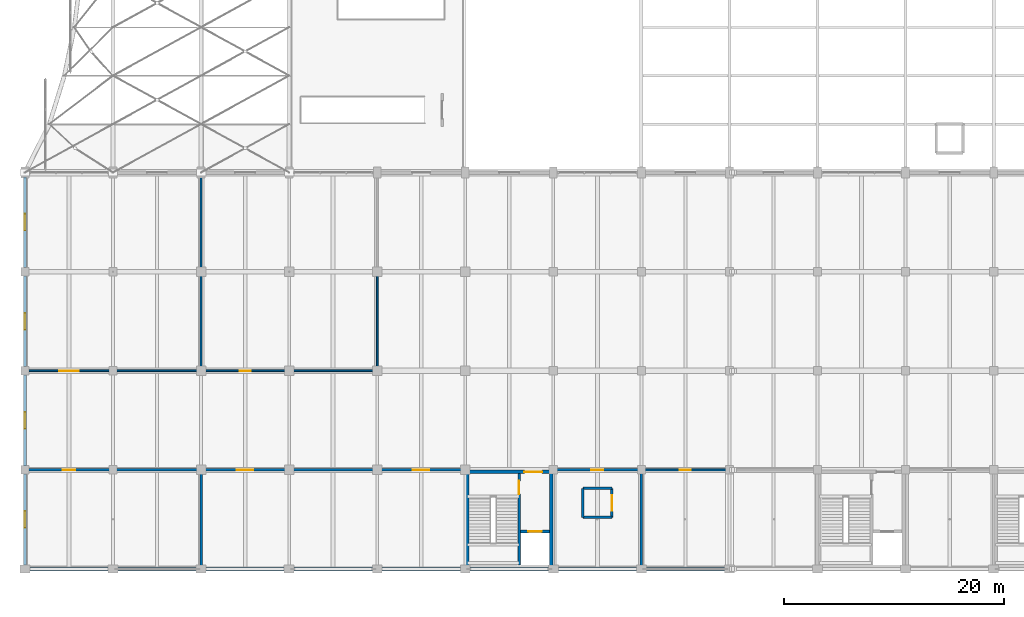
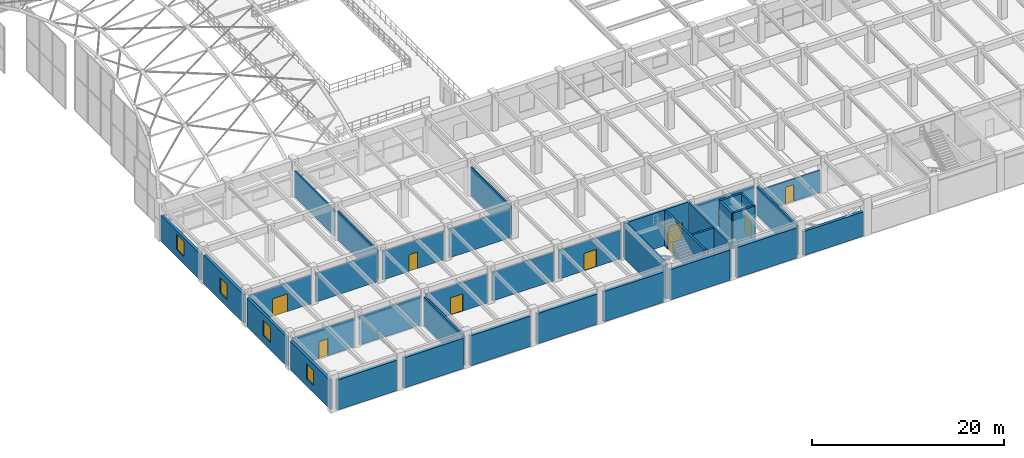
# One storey, part 105 of 144: 37 walls, 11 doors, 4 windows, 15 openings.
"""IFC4 building model written with IfcOpenShell, lengths in metres."""

from ifc_helpers import new_model, si_unit, direction, frame, frame_2d, origin, place, context, subcontext, project, spatial, rectangle, extrude, material, layer, layer_set, type_object, element, fill, save


model = new_model("IFC4")

# Units and contexts
model_context = context("Model", 3, precision=1e-05, world=origin(), true_north=direction((0.0, 1.0)))
body_context = subcontext(model_context, "Body", "Model", "MODEL_VIEW")
ifc_project = project(units=[si_unit("LENGTHUNIT", "METRE"), si_unit("AREAUNIT", "SQUARE_METRE"), si_unit("VOLUMEUNIT", "CUBIC_METRE"), si_unit("PLANEANGLEUNIT", "RADIAN"), si_unit("MASSUNIT", "GRAM", prefix="KILO")], contexts=[model_context])

# Site, building, storey
site_placement = place(None, origin())
site = spatial("IfcSite", under=ifc_project, at=site_placement, CompositionType="ELEMENT")
building_placement = place(site_placement, origin())
building = spatial("IfcBuilding", under=site, at=building_placement, Name="Varnabhumi Central Station", CompositionType="ELEMENT")
storey_placement = place(building_placement, frame((0.0, 0.0, 4.800048828125)))
storey = spatial("IfcBuildingStorey", under=building, at=storey_placement, Name="L01", CompositionType="ELEMENT", Elevation=4.800048828125)

# Wall, opening, door
ifc_material_1 = material(Name="Autoclaved aerated blockwork masonry", Category="masonry")
ifc_layer_1 = layer(ifc_material_1, 0.219970703125, Name="Autoclaved aerated blockwork masonry", Category="masonry")
ifc_layer_set_1 = layer_set([ifc_layer_1], Name="Autoclaved aerated blockwork masonry")
wall_type_1 = type_object("IfcWallType", Name="WAL-COMP-AAC-220", PredefinedType="SOLIDWALL", material=ifc_layer_set_1)
wall_1_placement = place(storey_placement, frame((0.300048828125, 9.0, 0.0), z_axis=(0.0, 0.0, 1.0), x_axis=(1.0, 0.0, 0.0)))
wall_1 = element("IfcWall", 1, at=wall_1_placement, inside=storey, type_object=wall_type_1, Name="Station Signage and Maintenance Store Corridor Partition 1", PredefinedType="SOLIDWALL", context=body_context, shape_type="SweptSolid", body=[
    extrude(rectangle(XDim=7.39990234375, YDim=0.219970703125, at=frame_2d((3.699951171875, 0.0))), origin(), (0.0, 0.0, 1.0), 3.659912109375),
])
opening_1_placement = place(wall_1_placement, frame((3.14990234375, 0.0, 0.0)))
opening_1 = element("IfcOpeningElement", 2, at=opening_1_placement, cuts=wall_1, Name="Opening FD-60", PredefinedType="OPENING", context=body_context, shape_type="SweptSolid", body=[
    extrude(rectangle(XDim=1.10009765625, YDim=2.14990234375, at=frame_2d((0.550048828125, 1.074951171875))), frame((0.0, 0.119873046875, 0.0), z_axis=(0.0, -1.0, 0.0), x_axis=(1.0, 0.0, 0.0)), (0.0, 0.0, 1.0), 0.239990234375),
])
ifc_material_2 = material(Name="Intumescent-treated hardwood timber", Category="wood")
door_type_1 = type_object("IfcDoorType", Name="DR-FIRE-60-1100", OperationType="NOTDEFINED", PredefinedType="DOOR", material=ifc_material_2)
door_1_placement = place(opening_1_placement, origin())
door_1 = element("IfcDoor", 3, at=door_1_placement, inside=storey, type_object=door_type_1, Name="Station Signage and Maintenance Store Door 1", OperationType="SINGLE_SWING_LEFT", OverallHeight=2.14990234375, OverallWidth=1.10009765625, PredefinedType="DOOR", context=body_context, shape_type="SweptSolid", body=[
    extrude(rectangle(XDim=1.10009765625, YDim=2.14990234375, at=frame_2d((0.550048828125, 1.074951171875))), frame((0.0, 0.02490234375, 0.0), z_axis=(0.0, -1.0, 0.0), x_axis=(1.0, 0.0, 0.0)), (0.0, 0.0, 1.0), 0.050048828125),
])
fill(opening_1, door_1)

# Walls
wall_2_placement = place(storey_placement, frame((8.300048828125, 9.0, 0.0), z_axis=(0.0, 0.0, 1.0), x_axis=(1.0, 0.0, 0.0)))
element("IfcWall", 4, at=wall_2_placement, inside=storey, type_object=wall_type_1, Name="Station Signage and Maintenance Store Corridor Partition 2", PredefinedType="SOLIDWALL", context=body_context, shape_type="SweptSolid", body=[
    extrude(rectangle(XDim=7.39990234375, YDim=0.219970703125, at=frame_2d((3.699951171875, 0.0))), origin(), (0.0, 0.0, 1.0), 3.659912109375),
])
wall_3_placement = place(storey_placement, frame((16.0, 0.300048828125, 0.0), z_axis=(0.0, 0.0, 1.0), x_axis=(0.0, 1.0, 0.0)))
element("IfcWall", 5, at=wall_3_placement, inside=storey, type_object=wall_type_1, Name="Station Signage and Maintenance Store W Partition 1", PredefinedType="SOLIDWALL", context=body_context, shape_type="SweptSolid", body=[
    extrude(rectangle(XDim=8.39990234375, YDim=0.219970703125, at=frame_2d((4.199951171875, 0.0))), origin(), (0.0, 0.0, 1.0), 3.659912109375),
])

# Wall, opening, door
wall_4_placement = place(storey_placement, frame((16.300048828125, 9.0, 0.0), z_axis=(0.0, 0.0, 1.0), x_axis=(1.0, 0.0, 0.0)))
wall_4 = element("IfcWall", 6, at=wall_4_placement, inside=storey, type_object=wall_type_1, Name="Mezzanine AHU Plant Room Corridor Partition 1", PredefinedType="SOLIDWALL", context=body_context, shape_type="SweptSolid", body=[
    extrude(rectangle(XDim=7.39990234375, YDim=0.219970703125, at=frame_2d((3.699951171875, 0.0))), origin(), (0.0, 0.0, 1.0), 3.659912109375),
])
opening_2_placement = place(wall_4_placement, frame((2.949951171875, 0.0, 0.0)))
opening_2 = element("IfcOpeningElement", 7, at=opening_2_placement, cuts=wall_4, Name="Opening FD-PLT", PredefinedType="OPENING", context=body_context, shape_type="SweptSolid", body=[
    extrude(rectangle(XDim=1.5, YDim=2.199951171875, at=frame_2d((0.75, 1.10009765625))), frame((0.0, 0.119873046875, 0.0), z_axis=(0.0, -1.0, 0.0), x_axis=(1.0, 0.0, 0.0)), (0.0, 0.0, 1.0), 0.239990234375),
])
ifc_material_3 = material(Name="Stainless steel Grade 316", Category="steel")
door_type_2 = type_object("IfcDoorType", Name="DR-PLANT-1500", OperationType="NOTDEFINED", PredefinedType="DOOR", material=ifc_material_3)
door_2_placement = place(opening_2_placement, origin())
door_2 = element("IfcDoor", 8, at=door_2_placement, inside=storey, type_object=door_type_2, Name="Mezzanine AHU Plant Room Door 1", OperationType="SINGLE_SWING_LEFT", OverallHeight=2.199951171875, OverallWidth=1.5, PredefinedType="DOOR", context=body_context, shape_type="SweptSolid", body=[
    extrude(rectangle(XDim=1.5, YDim=2.199951171875, at=frame_2d((0.75, 1.10009765625))), frame((0.0, 0.02490234375, 0.0), z_axis=(0.0, -1.0, 0.0), x_axis=(1.0, 0.0, 0.0)), (0.0, 0.0, 1.0), 0.050048828125),
])
fill(opening_2, door_2)

# Wall
wall_5_placement = place(storey_placement, frame((24.300048828125, 9.0, 0.0), z_axis=(0.0, 0.0, 1.0), x_axis=(1.0, 0.0, 0.0)))
element("IfcWall", 9, at=wall_5_placement, inside=storey, type_object=wall_type_1, Name="Mezzanine AHU Plant Room Corridor Partition 2", PredefinedType="SOLIDWALL", context=body_context, shape_type="SweptSolid", body=[
    extrude(rectangle(XDim=7.39990234375, YDim=0.219970703125, at=frame_2d((3.699951171875, 0.0))), origin(), (0.0, 0.0, 1.0), 3.659912109375),
])

# Wall, opening, door
wall_6_placement = place(storey_placement, frame((32.300048828125, 9.0, 0.0), z_axis=(0.0, 0.0, 1.0), x_axis=(1.0, 0.0, 0.0)))
wall_6 = element("IfcWall", 10, at=wall_6_placement, inside=storey, type_object=wall_type_1, Name="Mezzanine AHU Plant Room Corridor Partition 3", PredefinedType="SOLIDWALL", context=body_context, shape_type="SweptSolid", body=[
    extrude(rectangle(XDim=7.39990234375, YDim=0.219970703125, at=frame_2d((3.699951171875, 0.0))), origin(), (0.0, 0.0, 1.0), 3.659912109375),
])
opening_3_placement = place(wall_6_placement, frame((2.949951171875, 0.0, 0.0)))
opening_3 = element("IfcOpeningElement", 11, at=opening_3_placement, cuts=wall_6, Name="Opening FD-PLT", PredefinedType="OPENING", context=body_context, shape_type="SweptSolid", body=[
    extrude(rectangle(XDim=1.5, YDim=2.199951171875, at=frame_2d((0.75, 1.10009765625))), frame((0.0, 0.119873046875, 0.0), z_axis=(0.0, -1.0, 0.0), x_axis=(1.0, 0.0, 0.0)), (0.0, 0.0, 1.0), 0.239990234375),
])
door_3_placement = place(opening_3_placement, origin())
door_3 = element("IfcDoor", 12, at=door_3_placement, inside=storey, type_object=door_type_2, Name="Mezzanine AHU Plant Room Door 3", OperationType="SINGLE_SWING_RIGHT", OverallHeight=2.199951171875, OverallWidth=1.5, PredefinedType="DOOR", context=body_context, shape_type="SweptSolid", body=[
    extrude(rectangle(XDim=1.5, YDim=2.199951171875, at=frame_2d((0.75, 1.10009765625))), frame((0.0, 0.02490234375, 0.0), z_axis=(0.0, -1.0, 0.0), x_axis=(1.0, 0.0, 0.0)), (0.0, 0.0, 1.0), 0.050048828125),
])
fill(opening_3, door_3)

wall_7_placement = place(storey_placement, frame((48.300048828125, 9.0, 0.0), z_axis=(0.0, 0.0, 1.0), x_axis=(1.0, 0.0, 0.0)))
wall_7 = element("IfcWall", 13, at=wall_7_placement, inside=storey, type_object=wall_type_1, Name="Ticketing Network Server Room Corridor Partition 1", PredefinedType="SOLIDWALL", context=body_context, shape_type="SweptSolid", body=[
    extrude(rectangle(XDim=7.39990234375, YDim=0.219970703125, at=frame_2d((3.699951171875, 0.0))), origin(), (0.0, 0.0, 1.0), 3.659912109375),
])
opening_4_placement = place(wall_7_placement, frame((3.14990234375, 0.0, 0.0)))
opening_4 = element("IfcOpeningElement", 14, at=opening_4_placement, cuts=wall_7, Name="Opening FD-60", PredefinedType="OPENING", context=body_context, shape_type="SweptSolid", body=[
    extrude(rectangle(XDim=1.10009765625, YDim=2.14990234375, at=frame_2d((0.550048828125, 1.074951171875))), frame((0.0, 0.119873046875, 0.0), z_axis=(0.0, -1.0, 0.0), x_axis=(1.0, 0.0, 0.0)), (0.0, 0.0, 1.0), 0.239990234375),
])
door_4_placement = place(opening_4_placement, origin())
door_4 = element("IfcDoor", 15, at=door_4_placement, inside=storey, type_object=door_type_1, Name="Ticketing Network Server Room Door 1", OperationType="SINGLE_SWING_LEFT", OverallHeight=2.14990234375, OverallWidth=1.10009765625, PredefinedType="DOOR", context=body_context, shape_type="SweptSolid", body=[
    extrude(rectangle(XDim=1.10009765625, YDim=2.14990234375, at=frame_2d((0.550048828125, 1.074951171875))), frame((0.0, 0.02490234375, 0.0), z_axis=(0.0, -1.0, 0.0), x_axis=(1.0, 0.0, 0.0)), (0.0, 0.0, 1.0), 0.050048828125),
])
fill(opening_4, door_4)

# Walls
wall_8_placement = place(storey_placement, frame((56.0, 0.300048828125, 0.0), z_axis=(0.0, 0.0, 1.0), x_axis=(0.0, 1.0, 0.0)))
element("IfcWall", 16, at=wall_8_placement, inside=storey, type_object=wall_type_1, Name="Ticketing Network Server Room W Partition 1", PredefinedType="SOLIDWALL", context=body_context, shape_type="SweptSolid", body=[
    extrude(rectangle(XDim=8.39990234375, YDim=0.219970703125, at=frame_2d((4.199951171875, 0.0))), origin(), (0.0, 0.0, 1.0), 3.659912109375),
])
ifc_material_4 = material(Name="Concrete M40", Category="concrete")
ifc_layer_2 = layer(ifc_material_4, 0.300048828125, Name="Concrete M40", Category="concrete")
ifc_layer_set_2 = layer_set([ifc_layer_2], Name="Concrete M40")
wall_type_2 = type_object("IfcWallType", Name="WAL-CORE-RC-300", PredefinedType="SHEAR", material=ifc_layer_set_2)
for number, where, z_axis, x_axis, name in (
    (17, (40.179931640625, 0.179931640625, 0.0), (0.0, 0.0, 1.0), (0.0, 1.0, 0.0), "SC1 L01 West Shear Wall"),
    (18, (47.820068359375, 0.179931640625, 0.0), (0.0, 0.0, 1.0), (0.0, 1.0, 0.0), "SC1 L01 East Shear Wall"),
):
    element("IfcWall", number, at=place(storey_placement, frame(where, z_axis=z_axis, x_axis=x_axis)), inside=storey, type_object=wall_type_2, Name=name, PredefinedType="SHEAR", context=body_context, shape_type="SweptSolid", body=[
        extrude(rectangle(XDim=8.64013671875, YDim=0.300048828125, at=frame_2d((4.320068359375, 0.0))), origin(), (0.0, 0.0, 1.0), 4.52001953125),
    ])

# Wall, opening, door
wall_9_placement = place(storey_placement, frame((40.030029296875, 8.820068359375, 0.0), z_axis=(0.0, 0.0, 1.0), x_axis=(1.0, 0.0, 0.0)))
wall_9 = element("IfcWall", 19, at=wall_9_placement, inside=storey, type_object=wall_type_2, Name="SC1 L01 Corridor Shear Wall", PredefinedType="SHEAR", context=body_context, shape_type="SweptSolid", body=[
    extrude(rectangle(XDim=7.93994140625, YDim=0.300048828125, at=frame_2d((3.969970703125, 0.0))), origin(), (0.0, 0.0, 1.0), 4.52001953125),
])
opening_5_placement = place(wall_9_placement, frame((5.35009765625, 0.0, 0.0)))
opening_5 = element("IfcOpeningElement", 20, at=opening_5_placement, cuts=wall_9, Name="Opening FD-60D", PredefinedType="OPENING", context=body_context, shape_type="SweptSolid", body=[
    extrude(rectangle(XDim=1.60009765625, YDim=2.14990234375, at=frame_2d((0.800048828125, 1.074951171875))), frame((0.0, 0.159912109375, 0.0), z_axis=(0.0, -1.0, 0.0), x_axis=(1.0, 0.0, 0.0)), (0.0, 0.0, 1.0), 0.320068359375),
])
door_type_3 = type_object("IfcDoorType", Name="DR-FIRE-60-1600", OperationType="NOTDEFINED", PredefinedType="DOOR", material=ifc_material_2)
door_5_placement = place(opening_5_placement, origin())
door_5 = element("IfcDoor", 21, at=door_5_placement, inside=storey, type_object=door_type_3, Name="SC1 L01 Lobby Fire Door", OperationType="DOUBLE_DOOR_SINGLE_SWING", OverallHeight=2.14990234375, OverallWidth=1.60009765625, PredefinedType="DOOR", context=body_context, shape_type="SweptSolid", body=[
    extrude(rectangle(XDim=1.60009765625, YDim=2.14990234375, at=frame_2d((0.800048828125, 1.074951171875))), frame((0.0, 0.02490234375, 0.0), z_axis=(0.0, -1.0, 0.0), x_axis=(1.0, 0.0, 0.0)), (0.0, 0.0, 1.0), 0.050048828125),
])
fill(opening_5, door_5)

# Wall, opening, window
ifc_layer_3 = layer(ifc_material_1, 0.300048828125, Name="Autoclaved aerated blockwork masonry", Category="masonry")
ifc_layer_set_3 = layer_set([ifc_layer_3], Name="Autoclaved aerated blockwork masonry")
wall_type_3 = type_object("IfcWallType", Name="WAL-EXT-STUCCO-300", PredefinedType="SOLIDWALL", material=ifc_layer_set_3)
wall_10_placement = place(storey_placement, frame((0.0, 0.344970703125, 0.0), z_axis=(0.0, 0.0, 1.0), x_axis=(0.0, 1.0, 0.0)))
wall_10 = element("IfcWall", 22, at=wall_10_placement, inside=storey, type_object=wall_type_3, Name="South Wing E End Wall L01-1", PredefinedType="SOLIDWALL", context=body_context, shape_type="SweptSolid", body=[
    extrude(rectangle(XDim=8.284912109375, YDim=0.300048828125, at=frame_2d((4.142578125, 0.0))), origin(), (0.0, 0.0, 1.0), 3.659912109375),
])
opening_6_placement = place(wall_10_placement, frame((3.405029296875, 0.0, 0.949951171875)))
opening_6 = element("IfcOpeningElement", 23, at=opening_6_placement, cuts=wall_10, Name="Opening W-07", PredefinedType="OPENING", context=body_context, shape_type="SweptSolid", body=[
    extrude(rectangle(XDim=1.5, YDim=1.89990234375, at=frame_2d((0.75, 0.949951171875))), frame((0.0, 0.159912109375, 0.0), z_axis=(0.0, -1.0, 0.0), x_axis=(1.0, 0.0, 0.0)), (0.0, 0.0, 1.0), 0.320068359375),
])
ifc_material_5 = material(Name="Laminated low-E double glazing", Category="glass")
window_type = type_object("IfcWindowType", Name="WIN-OPS-1500x1900", PartitioningType="SINGLE_PANEL", PredefinedType="WINDOW", material=ifc_material_5)
window_1_placement = place(opening_6_placement, origin())
window_1 = element("IfcWindow", 24, at=window_1_placement, inside=storey, type_object=window_type, Name="South E Window L01-1", OverallHeight=1.89990234375, OverallWidth=1.5, PartitioningType="SINGLE_PANEL", PredefinedType="WINDOW", context=body_context, shape_type="SweptSolid", body=[
    extrude(rectangle(XDim=1.5, YDim=1.89990234375, at=frame_2d((0.75, 0.949951171875))), frame((0.0, 0.030029296875, 0.0), z_axis=(0.0, -1.0, 0.0), x_axis=(1.0, 0.0, 0.0)), (0.0, 0.0, 1.0), 0.06005859375),
])
fill(opening_6, window_1)

wall_11_placement = place(storey_placement, frame((0.0, 9.3701171875, 0.0), z_axis=(0.0, 0.0, 1.0), x_axis=(0.0, 1.0, 0.0)))
wall_11 = element("IfcWall", 25, at=wall_11_placement, inside=storey, type_object=wall_type_3, Name="South Wing E End Wall L01-2", PredefinedType="SOLIDWALL", context=body_context, shape_type="SweptSolid", body=[
    extrude(rectangle(XDim=8.259765625, YDim=0.300048828125, at=frame_2d((4.1298828125, 0.0))), origin(), (0.0, 0.0, 1.0), 3.659912109375),
])
opening_7_placement = place(wall_11_placement, frame((3.3798828125, 0.0, 0.949951171875)))
opening_7 = element("IfcOpeningElement", 26, at=opening_7_placement, cuts=wall_11, Name="Opening W-07", PredefinedType="OPENING", context=body_context, shape_type="SweptSolid", body=[
    extrude(rectangle(XDim=1.5, YDim=1.89990234375, at=frame_2d((0.75, 0.949951171875))), frame((0.0, 0.159912109375, 0.0), z_axis=(0.0, -1.0, 0.0), x_axis=(1.0, 0.0, 0.0)), (0.0, 0.0, 1.0), 0.320068359375),
])
window_2_placement = place(opening_7_placement, origin())
window_2 = element("IfcWindow", 27, at=window_2_placement, inside=storey, type_object=window_type, Name="South E Window L01-2", OverallHeight=1.89990234375, OverallWidth=1.5, PartitioningType="SINGLE_PANEL", PredefinedType="WINDOW", context=body_context, shape_type="SweptSolid", body=[
    extrude(rectangle(XDim=1.5, YDim=1.89990234375, at=frame_2d((0.75, 0.949951171875))), frame((0.0, 0.030029296875, 0.0), z_axis=(0.0, -1.0, 0.0), x_axis=(1.0, 0.0, 0.0)), (0.0, 0.0, 1.0), 0.06005859375),
])
fill(opening_7, window_2)

wall_12_placement = place(storey_placement, frame((0.0, 18.3701171875, 0.0), z_axis=(0.0, 0.0, 1.0), x_axis=(0.0, 1.0, 0.0)))
wall_12 = element("IfcWall", 28, at=wall_12_placement, inside=storey, type_object=wall_type_3, Name="South Wing E End Wall L01-3", PredefinedType="SOLIDWALL", context=body_context, shape_type="SweptSolid", body=[
    extrude(rectangle(XDim=8.259765625, YDim=0.300048828125, at=frame_2d((4.1298828125, 0.0))), origin(), (0.0, 0.0, 1.0), 3.659912109375),
])
opening_8_placement = place(wall_12_placement, frame((3.3798828125, 0.0, 0.949951171875)))
opening_8 = element("IfcOpeningElement", 29, at=opening_8_placement, cuts=wall_12, Name="Opening W-07", PredefinedType="OPENING", context=body_context, shape_type="SweptSolid", body=[
    extrude(rectangle(XDim=1.5, YDim=1.89990234375, at=frame_2d((0.75, 0.949951171875))), frame((0.0, 0.159912109375, 0.0), z_axis=(0.0, -1.0, 0.0), x_axis=(1.0, 0.0, 0.0)), (0.0, 0.0, 1.0), 0.320068359375),
])
window_3_placement = place(opening_8_placement, origin())
window_3 = element("IfcWindow", 30, at=window_3_placement, inside=storey, type_object=window_type, Name="South E Window L01-3", OverallHeight=1.89990234375, OverallWidth=1.5, PartitioningType="SINGLE_PANEL", PredefinedType="WINDOW", context=body_context, shape_type="SweptSolid", body=[
    extrude(rectangle(XDim=1.5, YDim=1.89990234375, at=frame_2d((0.75, 0.949951171875))), frame((0.0, 0.030029296875, 0.0), z_axis=(0.0, -1.0, 0.0), x_axis=(1.0, 0.0, 0.0)), (0.0, 0.0, 1.0), 0.06005859375),
])
fill(opening_8, window_3)

wall_13_placement = place(storey_placement, frame((0.0, 27.3701171875, 0.0), z_axis=(0.0, 0.0, 1.0), x_axis=(0.0, 1.0, 0.0)))
wall_13 = element("IfcWall", 31, at=wall_13_placement, inside=storey, type_object=wall_type_3, Name="South Wing E End Wall L01-4", PredefinedType="SOLIDWALL", context=body_context, shape_type="SweptSolid", body=[
    extrude(rectangle(XDim=8.22998046875, YDim=0.300048828125, at=frame_2d((4.114990234375, 0.0))), origin(), (0.0, 0.0, 1.0), 3.31005859375),
])
opening_9_placement = place(wall_13_placement, frame((3.3798828125, 0.0, 0.949951171875)))
opening_9 = element("IfcOpeningElement", 32, at=opening_9_placement, cuts=wall_13, Name="Opening W-07", PredefinedType="OPENING", context=body_context, shape_type="SweptSolid", body=[
    extrude(rectangle(XDim=1.5, YDim=1.89990234375, at=frame_2d((0.75, 0.949951171875))), frame((0.0, 0.159912109375, 0.0), z_axis=(0.0, -1.0, 0.0), x_axis=(1.0, 0.0, 0.0)), (0.0, 0.0, 1.0), 0.320068359375),
])
window_4_placement = place(opening_9_placement, origin())
window_4 = element("IfcWindow", 33, at=window_4_placement, inside=storey, type_object=window_type, Name="South E Window L01-4", OverallHeight=1.89990234375, OverallWidth=1.5, PartitioningType="SINGLE_PANEL", PredefinedType="WINDOW", context=body_context, shape_type="SweptSolid", body=[
    extrude(rectangle(XDim=1.5, YDim=1.89990234375, at=frame_2d((0.75, 0.949951171875))), frame((0.0, 0.030029296875, 0.0), z_axis=(0.0, -1.0, 0.0), x_axis=(1.0, 0.0, 0.0)), (0.0, 0.0, 1.0), 0.06005859375),
])
fill(opening_9, window_4)

# Wall, opening, door
ifc_layer_4 = layer(ifc_material_1, 0.159912109375, Name="Autoclaved aerated blockwork masonry", Category="masonry")
ifc_layer_set_4 = layer_set([ifc_layer_4], Name="Autoclaved aerated blockwork masonry")
wall_type_4 = type_object("IfcWallType", Name="WAL-PART-AAC-160", PredefinedType="PARTITIONING", material=ifc_layer_set_4)
wall_14_placement = place(storey_placement, frame((0.300048828125, 18.0, 0.0), z_axis=(0.0, 0.0, 1.0), x_axis=(1.0, 0.0, 0.0)))
wall_14 = element("IfcWall", 34, at=wall_14_placement, inside=storey, type_object=wall_type_4, Name="Forecourt Overlook Transit Lounge Corridor Partition 1", PredefinedType="PARTITIONING", context=body_context, shape_type="SweptSolid", body=[
    extrude(rectangle(XDim=7.39990234375, YDim=0.159912109375, at=frame_2d((3.699951171875, 0.0))), origin(), (0.0, 0.0, 1.0), 3.659912109375),
])
opening_10_placement = place(wall_14_placement, frame((2.800048828125, 0.0, 0.0)))
opening_10 = element("IfcOpeningElement", 35, at=opening_10_placement, cuts=wall_14, Name="Opening D-02", PredefinedType="OPENING", context=body_context, shape_type="SweptSolid", body=[
    extrude(rectangle(XDim=1.800048828125, YDim=2.25, at=frame_2d((0.89990234375, 1.125))), frame((0.0, 0.08984375, 0.0), z_axis=(0.0, -1.0, 0.0), x_axis=(1.0, 0.0, 0.0)), (0.0, 0.0, 1.0), 0.179931640625),
])
ifc_material_6 = material(Name="Anodised aluminium 6063-T6", Category="aluminium")
door_type_4 = type_object("IfcDoorType", Name="DR-LOUNGE-1800", OperationType="NOTDEFINED", PredefinedType="DOOR", material=ifc_material_6)
door_6_placement = place(opening_10_placement, frame((1.800048828125, 0.0, 0.0), z_axis=(0.0, 0.0, 1.0), x_axis=(-1.0, 0.0, 0.0)))
door_6 = element("IfcDoor", 36, at=door_6_placement, inside=storey, type_object=door_type_4, Name="Forecourt Overlook Transit Lounge Door 1", OperationType="DOUBLE_DOOR_SINGLE_SWING", OverallHeight=2.25, OverallWidth=1.800048828125, PredefinedType="DOOR", context=body_context, shape_type="SweptSolid", body=[
    extrude(rectangle(XDim=1.800048828125, YDim=2.25, at=frame_2d((0.89990234375, 1.125))), frame((0.0, 0.02490234375, 0.0), z_axis=(0.0, -1.0, 0.0), x_axis=(1.0, 0.0, 0.0)), (0.0, 0.0, 1.0), 0.050048828125),
])
fill(opening_10, door_6)

# Walls
wall_15_placement = place(storey_placement, frame((8.300048828125, 18.0, 0.0), z_axis=(0.0, 0.0, 1.0), x_axis=(1.0, 0.0, 0.0)))
element("IfcWall", 37, at=wall_15_placement, inside=storey, type_object=wall_type_4, Name="Forecourt Overlook Transit Lounge Corridor Partition 2", PredefinedType="PARTITIONING", context=body_context, shape_type="SweptSolid", body=[
    extrude(rectangle(XDim=7.39990234375, YDim=0.159912109375, at=frame_2d((3.699951171875, 0.0))), origin(), (0.0, 0.0, 1.0), 3.659912109375),
])
wall_16_placement = place(storey_placement, frame((16.0, 18.300048828125, 0.0), z_axis=(0.0, 0.0, 1.0), x_axis=(0.0, 1.0, 0.0)))
element("IfcWall", 38, at=wall_16_placement, inside=storey, type_object=wall_type_4, Name="Forecourt Overlook Transit Lounge W Partition 1", PredefinedType="PARTITIONING", context=body_context, shape_type="SweptSolid", body=[
    extrude(rectangle(XDim=8.39990234375, YDim=0.159912109375, at=frame_2d((4.199951171875, 0.0))), origin(), (0.0, 0.0, 1.0), 3.659912109375),
])
wall_17_placement = place(storey_placement, frame((16.0, 27.300048828125, 0.0), z_axis=(0.0, 0.0, 1.0), x_axis=(0.0, 1.0, 0.0)))
element("IfcWall", 39, at=wall_17_placement, inside=storey, type_object=wall_type_4, Name="Forecourt Overlook Transit Lounge W Partition 2", PredefinedType="PARTITIONING", context=body_context, shape_type="SweptSolid", body=[
    extrude(rectangle(XDim=8.39990234375, YDim=0.159912109375, at=frame_2d((4.199951171875, 0.0))), origin(), (0.0, 0.0, 1.0), 3.31005859375),
])

# Wall, opening, door
wall_18_placement = place(storey_placement, frame((16.300048828125, 18.0, 0.0), z_axis=(0.0, 0.0, 1.0), x_axis=(1.0, 0.0, 0.0)))
wall_18 = element("IfcWall", 40, at=wall_18_placement, inside=storey, type_object=wall_type_4, Name="Booking Accounts and Cash Office Corridor Partition 1", PredefinedType="PARTITIONING", context=body_context, shape_type="SweptSolid", body=[
    extrude(rectangle(XDim=7.39990234375, YDim=0.159912109375, at=frame_2d((3.699951171875, 0.0))), origin(), (0.0, 0.0, 1.0), 3.659912109375),
])
opening_11_placement = place(wall_18_placement, frame((3.199951171875, 0.0, 0.0)))
opening_11 = element("IfcOpeningElement", 41, at=opening_11_placement, cuts=wall_18, Name="Opening D-01", PredefinedType="OPENING", context=body_context, shape_type="SweptSolid", body=[
    extrude(rectangle(XDim=1.0, YDim=2.10009765625, at=frame_2d((0.5, 1.050048828125))), frame((0.0, 0.08984375, 0.0), z_axis=(0.0, -1.0, 0.0), x_axis=(1.0, 0.0, 0.0)), (0.0, 0.0, 1.0), 0.179931640625),
])
door_type_5 = type_object("IfcDoorType", Name="DR-ROOM-1000", OperationType="NOTDEFINED", PredefinedType="DOOR", material=ifc_material_2)
door_7_placement = place(opening_11_placement, frame((1.0, 0.0, 0.0), z_axis=(0.0, 0.0, 1.0), x_axis=(-1.0, 0.0, 0.0)))
door_7 = element("IfcDoor", 42, at=door_7_placement, inside=storey, type_object=door_type_5, Name="Booking Accounts and Cash Office Door 1", OperationType="SINGLE_SWING_RIGHT", OverallHeight=2.10009765625, OverallWidth=1.0, PredefinedType="DOOR", context=body_context, shape_type="SweptSolid", body=[
    extrude(rectangle(XDim=1.0, YDim=2.10009765625, at=frame_2d((0.5, 1.050048828125))), frame((0.0, 0.02490234375, 0.0), z_axis=(0.0, -1.0, 0.0), x_axis=(1.0, 0.0, 0.0)), (0.0, 0.0, 1.0), 0.050048828125),
])
fill(opening_11, door_7)

# Walls
wall_19_placement = place(storey_placement, frame((24.300048828125, 18.0, 0.0), z_axis=(0.0, 0.0, 1.0), x_axis=(1.0, 0.0, 0.0)))
element("IfcWall", 43, at=wall_19_placement, inside=storey, type_object=wall_type_4, Name="Booking Accounts and Cash Office Corridor Partition 2", PredefinedType="PARTITIONING", context=body_context, shape_type="SweptSolid", body=[
    extrude(rectangle(XDim=7.39990234375, YDim=0.159912109375, at=frame_2d((3.699951171875, 0.0))), origin(), (0.0, 0.0, 1.0), 3.659912109375),
])
wall_20_placement = place(storey_placement, frame((32.0, 18.300048828125, 0.0), z_axis=(0.0, 0.0, 1.0), x_axis=(0.0, 1.0, 0.0)))
element("IfcWall", 44, at=wall_20_placement, inside=storey, type_object=wall_type_4, Name="Booking Accounts and Cash Office W Partition 1", PredefinedType="PARTITIONING", context=body_context, shape_type="SweptSolid", body=[
    extrude(rectangle(XDim=8.39990234375, YDim=0.159912109375, at=frame_2d((4.199951171875, 0.0))), origin(), (0.0, 0.0, 1.0), 3.659912109375),
])

# Wall, opening, door
wall_21_placement = place(storey_placement, frame((56.300048828125, 9.0, 0.0), z_axis=(0.0, 0.0, 1.0), x_axis=(1.0, 0.0, 0.0)))
wall_21 = element("IfcWall", 45, at=wall_21_placement, inside=storey, type_object=wall_type_4, Name="Parcel Dispatch Records Office Corridor Partition 1", PredefinedType="PARTITIONING", context=body_context, shape_type="SweptSolid", body=[
    extrude(rectangle(XDim=7.39990234375, YDim=0.159912109375, at=frame_2d((3.699951171875, 0.0))), origin(), (0.0, 0.0, 1.0), 2.829833984375),
])
opening_12_placement = place(wall_21_placement, frame((3.199951171875, 0.0, 0.0)))
opening_12 = element("IfcOpeningElement", 46, at=opening_12_placement, cuts=wall_21, Name="Opening D-01", PredefinedType="OPENING", context=body_context, shape_type="SweptSolid", body=[
    extrude(rectangle(XDim=1.0, YDim=2.10009765625, at=frame_2d((0.5, 1.050048828125))), frame((0.0, 0.08984375, 0.0), z_axis=(0.0, -1.0, 0.0), x_axis=(1.0, 0.0, 0.0)), (0.0, 0.0, 1.0), 0.179931640625),
])
door_8_placement = place(opening_12_placement, origin())
door_8 = element("IfcDoor", 47, at=door_8_placement, inside=storey, type_object=door_type_5, Name="Parcel Dispatch Records Office Door 1", OperationType="SINGLE_SWING_LEFT", OverallHeight=2.10009765625, OverallWidth=1.0, PredefinedType="DOOR", context=body_context, shape_type="SweptSolid", body=[
    extrude(rectangle(XDim=1.0, YDim=2.10009765625, at=frame_2d((0.5, 1.050048828125))), frame((0.0, 0.02490234375, 0.0), z_axis=(0.0, -1.0, 0.0), x_axis=(1.0, 0.0, 0.0)), (0.0, 0.0, 1.0), 0.050048828125),
])
fill(opening_12, door_8)

ifc_layer_5 = layer(ifc_material_4, 0.239990234375, Name="Concrete M40", Category="concrete")
ifc_layer_set_5 = layer_set([ifc_layer_5], Name="Concrete M40")
wall_type_5 = type_object("IfcWallType", Name="WAL-SHAFT-RC-240", PredefinedType="SHEAR", material=ifc_layer_set_5)
wall_22_placement = place(storey_placement, frame((44.89990234375, 0.35009765625, 0.0), z_axis=(0.0, 0.0, 1.0), x_axis=(0.0, 1.0, 0.0)))
wall_22 = element("IfcWall", 48, at=wall_22_placement, inside=storey, type_object=wall_type_5, Name="SC1 L01 Stair-Lobby Divider Wall", PredefinedType="SHEAR", context=body_context, shape_type="SweptSolid", body=[
    extrude(rectangle(XDim=8.2998046875, YDim=0.239990234375, at=frame_2d((4.14990234375, 0.0))), origin(), (0.0, 0.0, 1.0), 4.52001953125),
])
opening_13_placement = place(wall_22_placement, frame((6.449951171875, 0.0, 0.0)))
opening_13 = element("IfcOpeningElement", 49, at=opening_13_placement, cuts=wall_22, Name="Opening FD-120", PredefinedType="OPENING", context=body_context, shape_type="SweptSolid", body=[
    extrude(rectangle(XDim=1.199951171875, YDim=2.14990234375, at=frame_2d((0.60009765625, 1.074951171875))), frame((0.0, 0.1298828125, 0.0), z_axis=(0.0, -1.0, 0.0), x_axis=(1.0, 0.0, 0.0)), (0.0, 0.0, 1.0), 0.260009765625),
])
door_type_6 = type_object("IfcDoorType", Name="DR-FIRE-120-1200", OperationType="NOTDEFINED", PredefinedType="DOOR", material=ifc_material_3)
door_9_placement = place(opening_13_placement, origin())
door_9 = element("IfcDoor", 50, at=door_9_placement, inside=storey, type_object=door_type_6, Name="ST-S1 L01 Fire Door", OperationType="SINGLE_SWING_RIGHT", OverallHeight=2.14990234375, OverallWidth=1.199951171875, PredefinedType="DOOR", context=body_context, shape_type="SweptSolid", body=[
    extrude(rectangle(XDim=1.199951171875, YDim=2.14990234375, at=frame_2d((0.60009765625, 1.074951171875))), frame((0.0, 0.02490234375, 0.0), z_axis=(0.0, -1.0, 0.0), x_axis=(1.0, 0.0, 0.0)), (0.0, 0.0, 1.0), 0.050048828125),
])
fill(opening_13, door_9)

wall_23_placement = place(storey_placement, frame((45.02001953125, 3.39990234375, 0.0), z_axis=(0.0, 0.0, 1.0), x_axis=(1.0, 0.0, 0.0)))
wall_23 = element("IfcWall", 51, at=wall_23_placement, inside=storey, type_object=wall_type_5, Name="FL-1 L01 Lift Shaft Front Wall", PredefinedType="SHEAR", context=body_context, shape_type="SweptSolid", body=[
    extrude(rectangle(XDim=2.6298828125, YDim=0.239990234375, at=frame_2d((1.31494140625, 0.0))), origin(), (0.0, 0.0, 1.0), 4.52001953125),
])
opening_14_placement = place(wall_23_placement, frame((0.715087890625, 0.0, 0.0)))
opening_14 = element("IfcOpeningElement", 52, at=opening_14_placement, cuts=wall_23, Name="Opening LD-FL-1", PredefinedType="OPENING", context=body_context, shape_type="SweptSolid", body=[
    extrude(rectangle(XDim=1.199951171875, YDim=2.14990234375, at=frame_2d((0.60009765625, 1.074951171875))), frame((0.0, 0.1298828125, 0.0), z_axis=(0.0, -1.0, 0.0), x_axis=(1.0, 0.0, 0.0)), (0.0, 0.0, 1.0), 0.260009765625),
])
door_type_7 = type_object("IfcDoorType", Name="DR-LIFT-FIRE-1200", OperationType="NOTDEFINED", PredefinedType="DOOR", material=ifc_material_3)
door_10_placement = place(opening_14_placement, origin())
door_10 = element("IfcDoor", 53, at=door_10_placement, inside=storey, type_object=door_type_7, Name="Lift Landing Door FL-1 L01", OperationType="DOUBLE_DOOR_SLIDING", OverallHeight=2.14990234375, OverallWidth=1.199951171875, PredefinedType="DOOR", context=body_context, shape_type="SweptSolid", body=[
    extrude(rectangle(XDim=1.199951171875, YDim=2.14990234375, at=frame_2d((0.60009765625, 1.074951171875))), frame((0.0, 0.02490234375, 0.0), z_axis=(0.0, -1.0, 0.0), x_axis=(1.0, 0.0, 0.0)), (0.0, 0.0, 1.0), 0.050048828125),
])
fill(opening_14, door_10)

# Walls
for number, where, z_axis, x_axis, name in (
    (54, (50.679931640625, 4.679931640625, 0.0), (0.0, 0.0, 1.0), (0.0, 1.0, 0.0), "GL-2 L01 Shaft West Wall"),
    (55, (50.679931640625, 4.679931640625, 0.0), (0.0, 0.0, 1.0), (1.0, 0.0, 0.0), "GL-2 L01 Shaft South Wall"),
    (56, (50.679931640625, 7.320068359375, 0.0), (0.0, 0.0, 1.0), (1.0, 0.0, 0.0), "GL-2 L01 Shaft North Wall"),
):
    element("IfcWall", number, at=place(storey_placement, frame(where, z_axis=z_axis, x_axis=x_axis)), inside=storey, type_object=wall_type_5, Name=name, PredefinedType="SHEAR", context=body_context, shape_type="SweptSolid", body=[
        extrude(rectangle(XDim=2.64013671875, YDim=0.239990234375, at=frame_2d((1.320068359375, 0.0))), origin(), (0.0, 0.0, 1.0), 4.550048828125),
    ])

# Wall, opening, door
wall_24_placement = place(storey_placement, frame((53.320068359375, 4.679931640625, 0.0), z_axis=(0.0, 0.0, 1.0), x_axis=(0.0, 1.0, 0.0)))
wall_24 = element("IfcWall", 57, at=wall_24_placement, inside=storey, type_object=wall_type_5, Name="GL-2 L01 Shaft Front Wall", PredefinedType="SHEAR", context=body_context, shape_type="SweptSolid", body=[
    extrude(rectangle(XDim=2.64013671875, YDim=0.239990234375, at=frame_2d((1.320068359375, 0.0))), origin(), (0.0, 0.0, 1.0), 4.550048828125),
])
opening_15_placement = place(wall_24_placement, frame((0.6201171875, 0.0, 0.0)))
opening_15 = element("IfcOpeningElement", 58, at=opening_15_placement, cuts=wall_24, Name="Opening LD-GL-2", PredefinedType="OPENING", context=body_context, shape_type="SweptSolid", body=[
    extrude(rectangle(XDim=1.39990234375, YDim=2.14990234375, at=frame_2d((0.699951171875, 1.074951171875))), frame((0.0, 0.1298828125, 0.0), z_axis=(0.0, -1.0, 0.0), x_axis=(1.0, 0.0, 0.0)), (0.0, 0.0, 1.0), 0.260009765625),
])
door_type_8 = type_object("IfcDoorType", Name="DR-LIFT-GOODS-1400", OperationType="NOTDEFINED", PredefinedType="DOOR", material=ifc_material_3)
door_11_placement = place(opening_15_placement, origin())
door_11 = element("IfcDoor", 59, at=door_11_placement, inside=storey, type_object=door_type_8, Name="Lift Landing Door GL-2 L01", OperationType="DOUBLE_DOOR_SLIDING", OverallHeight=2.14990234375, OverallWidth=1.39990234375, PredefinedType="DOOR", context=body_context, shape_type="SweptSolid", body=[
    extrude(rectangle(XDim=1.39990234375, YDim=2.14990234375, at=frame_2d((0.699951171875, 1.074951171875))), frame((0.0, 0.02490234375, 0.0), z_axis=(0.0, -1.0, 0.0), x_axis=(1.0, 0.0, 0.0)), (0.0, 0.0, 1.0), 0.050048828125),
])
fill(opening_15, door_11)

# Walls
ifc_layer_6 = layer(ifc_material_4, 0.340087890625, Name="Concrete M40", Category="concrete")
ifc_layer_set_6 = layer_set([ifc_layer_6], Name="Concrete M40")
wall_type_6 = type_object("IfcWallType", Name="WAL-SOUTH-FIRE-340", PredefinedType="SOLIDWALL", material=ifc_layer_set_6)
for number, where, z_axis, x_axis, name in (
    (60, (0.39990234375, 0.0, 0.0), (0.0, 0.0, 1.0), (1.0, 0.0, 0.0), "South Infill Boundary Fire Wall L01-1"),
    (61, (8.39990234375, 0.0, 0.0), (0.0, 0.0, 1.0), (1.0, 0.0, 0.0), "South Infill Boundary Fire Wall L01-2"),
    (62, (16.39990234375, 0.0, 0.0), (0.0, 0.0, 1.0), (1.0, 0.0, 0.0), "South Infill Boundary Fire Wall L01-3"),
    (63, (24.39990234375, 0.0, 0.0), (0.0, 0.0, 1.0), (1.0, 0.0, 0.0), "South Infill Boundary Fire Wall L01-4"),
    (64, (32.39990234375, 0.0, 0.0), (0.0, 0.0, 1.0), (1.0, 0.0, 0.0), "South Infill Boundary Fire Wall L01-5"),
    (65, (40.39990234375, 0.0, 0.0), (0.0, 0.0, 1.0), (1.0, 0.0, 0.0), "South Infill Boundary Fire Wall L01-6"),
    (66, (48.39990234375, 0.0, 0.0), (0.0, 0.0, 1.0), (1.0, 0.0, 0.0), "South Infill Boundary Fire Wall L01-7"),
):
    element("IfcWall", number, at=place(storey_placement, frame(where, z_axis=z_axis, x_axis=x_axis)), inside=storey, type_object=wall_type_6, Name=name, PredefinedType="SOLIDWALL", context=body_context, shape_type="SweptSolid", body=[
        extrude(rectangle(XDim=7.2001953125, YDim=0.340087890625, at=frame_2d((3.60009765625, 0.0))), origin(), (0.0, 0.0, 1.0), 3.83984375),
    ])
wall_25_placement = place(storey_placement, frame((56.39990234375, 0.0, 0.0), z_axis=(0.0, 0.0, 1.0), x_axis=(1.0, 0.0, 0.0)))
element("IfcWall", 67, at=wall_25_placement, inside=storey, type_object=wall_type_6, Name="South Infill Boundary Fire Wall L01-8", PredefinedType="SOLIDWALL", context=body_context, shape_type="SweptSolid", body=[
    extrude(rectangle(XDim=7.2001953125, YDim=0.340087890625, at=frame_2d((3.60009765625, 0.0))), origin(), (0.0, 0.0, 1.0), 3.079833984375),
])

save(model, "model.ifc")
